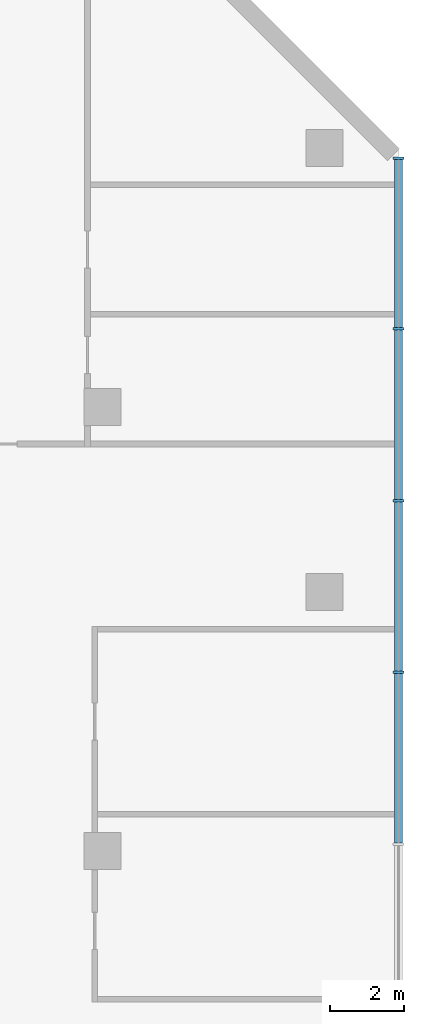
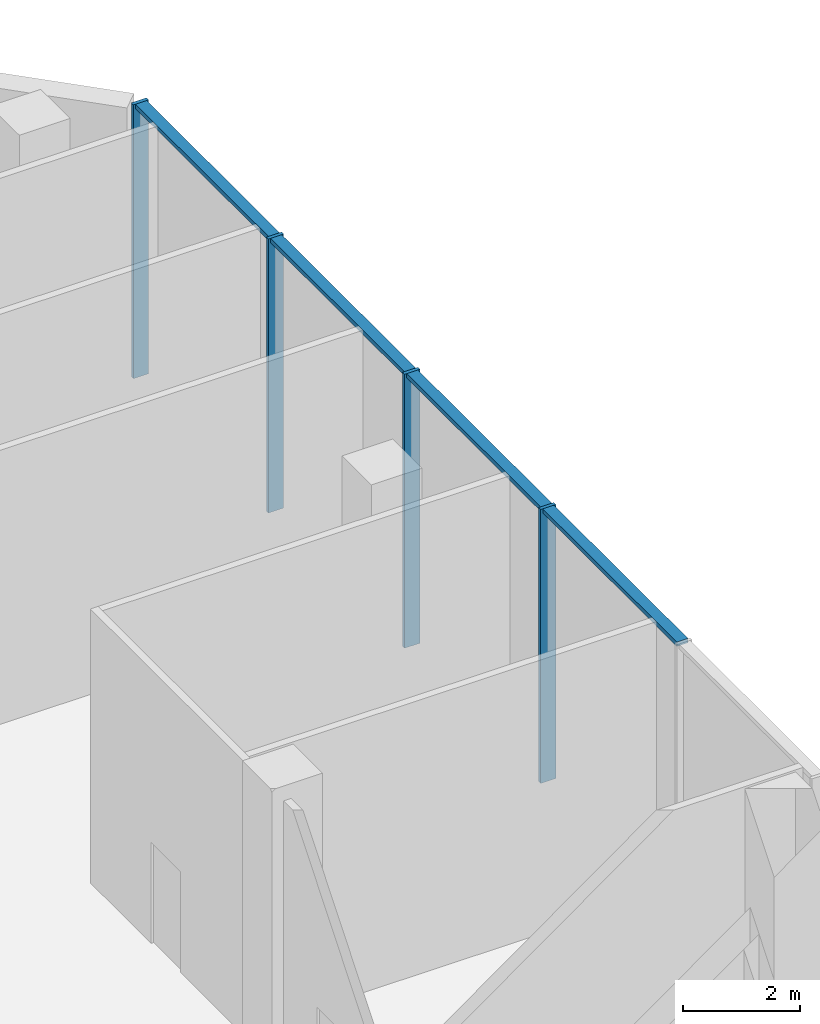
# One storey, part 7 of 30: 8 members, 1 element without a shape of its own.
"""IFC4 building model written with IfcOpenShell, lengths in metres."""

from ifc_helpers import new_model, si_unit, direction, frame, origin, origin_2d, place, context, subcontext, project, spatial, rectangle, extrude, material, material_profile, profile_set, type_object, element, aggregate, save


model = new_model("IFC4")

# Units and contexts
model_context = context("Model", 3, precision=1e-05, world=origin(), true_north=direction((0.0, 1.0)))
body_context = subcontext(model_context, "Body", "Model", "MODEL_VIEW")
ifc_project = project(units=[si_unit("LENGTHUNIT", "METRE"), si_unit("AREAUNIT", "SQUARE_METRE"), si_unit("VOLUMEUNIT", "CUBIC_METRE"), si_unit("PLANEANGLEUNIT", "RADIAN"), si_unit("MASSUNIT", "GRAM", prefix="KILO")], contexts=[model_context])

# Site, building, storey
site_placement = place(None, origin())
site = spatial("IfcSite", under=ifc_project, at=site_placement, CompositionType="ELEMENT")
building_placement = place(site_placement, origin())
building = spatial("IfcBuilding", under=site, at=building_placement, Name="Wharfspan Tower", CompositionType="ELEMENT")
storey_placement = place(building_placement, frame((0.0, 0.0, 21.5)))
storey = spatial("IfcBuildingStorey", under=building, at=storey_placement, Name="L03", CompositionType="ELEMENT", Elevation=21.5)

# Curtain wall, members
ifc_material = material(Name="Aluminium 6063-T6", Category="aluminium")
curtain_wall_type = type_object("IfcCurtainWallType", Name="CURTAIN WALL ARENA STICK WALL", PredefinedType="NOTDEFINED", material=ifc_material)
curtain_wall_placement = place(storey_placement, origin())
curtain_wall = element("IfcCurtainWall", 1, at=curtain_wall_placement, inside=storey, type_object=curtain_wall_type, Name="Concourse stick wall PF3.3", PredefinedType="NOTDEFINED")
ifc_material_profile_1 = material_profile(ifc_material, rectangle(XDim=0.300049, YDim=0.070068, at=origin_2d()))
ifc_profile_set_1 = profile_set([ifc_material_profile_1], Name="Aluminium 6063-T6")
member_type_1 = type_object("IfcMemberType", Name="MULLION ARENA STICK WALL 70x300", PredefinedType="MULLION", material=ifc_profile_set_1)
member_1_placement = place(storey_placement, frame((108.0, 35.830078, 0.0), z_axis=(0.0, 0.0, 1.0), x_axis=(-1.0, 0.0, 0.0)))
member_1 = element("IfcMember", 2, at=member_1_placement, type_object=member_type_1, Name="Concourse stick wall PF3.3 mullion 3", PredefinedType="MULLION", context=body_context, shape_type="SweptSolid", body=[
    extrude(rectangle(XDim=0.300049, YDim=0.070068, at=origin_2d()), origin(), (0.0, 0.0, 1.0), 5.699951),
])
member_2_placement = place(storey_placement, frame((108.0, 40.469971, 0.0), z_axis=(0.0, 0.0, 1.0), x_axis=(-1.0, 0.0, 0.0)))
member_2 = element("IfcMember", 3, at=member_2_placement, type_object=member_type_1, Name="Concourse stick wall PF3.3 mullion 4", PredefinedType="MULLION", context=body_context, shape_type="SweptSolid", body=[
    extrude(rectangle(XDim=0.300049, YDim=0.070068, at=origin_2d()), origin(), (0.0, 0.0, 1.0), 5.699951),
])
member_3_placement = place(storey_placement, frame((108.0, 45.110107, 0.0), z_axis=(0.0, 0.0, 1.0), x_axis=(-1.0, 0.0, 0.0)))
member_3 = element("IfcMember", 4, at=member_3_placement, type_object=member_type_1, Name="Concourse stick wall PF3.3 mullion 5", PredefinedType="MULLION", context=body_context, shape_type="SweptSolid", body=[
    extrude(rectangle(XDim=0.300049, YDim=0.070068, at=origin_2d()), origin(), (0.0, 0.0, 1.0), 5.699951),
])
member_4_placement = place(storey_placement, frame((108.0, 49.715088, 0.0), z_axis=(0.0, 0.0, 1.0), x_axis=(-1.0, 0.0, 0.0)))
member_4 = element("IfcMember", 5, at=member_4_placement, type_object=member_type_1, Name="Concourse stick wall PF3.3 mullion 6", PredefinedType="MULLION", context=body_context, shape_type="SweptSolid", body=[
    extrude(rectangle(XDim=0.300049, YDim=0.070068, at=origin_2d()), origin(), (0.0, 0.0, 1.0), 5.699951),
])
ifc_material_profile_2 = material_profile(ifc_material, rectangle(XDim=0.219971, YDim=0.090088, at=origin_2d()))
ifc_profile_set_2 = profile_set([ifc_material_profile_2], Name="Aluminium 6063-T6")
member_type_2 = type_object("IfcMemberType", Name="TRANSOM ARENA STICK WALL 90x220", PredefinedType="USERDEFINED", material=ifc_profile_set_2)
member_5_placement = place(storey_placement, frame((108.0, 31.225098, 5.655029), z_axis=(0.0, 1.0, 0.0), x_axis=(-1.0, 0.0, 0.0)))
member_5 = element("IfcMember", 6, at=member_5_placement, type_object=member_type_2, Name="Concourse stick wall PF3.3 transom 2", ObjectType="TRANSOM", PredefinedType="USERDEFINED", context=body_context, shape_type="SweptSolid", body=[
    extrude(rectangle(XDim=0.219971, YDim=0.090088, at=origin_2d()), origin(), (0.0, 0.0, 1.0), 4.569824),
])
member_6_placement = place(storey_placement, frame((108.0, 35.86499, 5.655029), z_axis=(0.0, 1.0, 0.0), x_axis=(-1.0, 0.0, 0.0)))
member_6 = element("IfcMember", 7, at=member_6_placement, type_object=member_type_2, Name="Concourse stick wall PF3.3 transom 3", ObjectType="TRANSOM", PredefinedType="USERDEFINED", context=body_context, shape_type="SweptSolid", body=[
    extrude(rectangle(XDim=0.219971, YDim=0.090088, at=origin_2d()), origin(), (0.0, 0.0, 1.0), 4.570068),
])
member_7_placement = place(storey_placement, frame((108.0, 40.504883, 5.655029), z_axis=(0.0, 1.0, 0.0), x_axis=(-1.0, 0.0, 0.0)))
member_7 = element("IfcMember", 8, at=member_7_placement, type_object=member_type_2, Name="Concourse stick wall PF3.3 transom 4", ObjectType="TRANSOM", PredefinedType="USERDEFINED", context=body_context, shape_type="SweptSolid", body=[
    extrude(rectangle(XDim=0.219971, YDim=0.090088, at=origin_2d()), origin(), (0.0, 0.0, 1.0), 4.570068),
])
member_8_placement = place(storey_placement, frame((108.0, 45.14502, 5.655029), z_axis=(0.0, 1.0, 0.0), x_axis=(-1.0, 0.0, 0.0)))
member_8 = element("IfcMember", 9, at=member_8_placement, type_object=member_type_2, Name="Concourse stick wall PF3.3 transom 5", ObjectType="TRANSOM", PredefinedType="USERDEFINED", context=body_context, shape_type="SweptSolid", body=[
    extrude(rectangle(XDim=0.219971, YDim=0.090088, at=origin_2d()), origin(), (0.0, 0.0, 1.0), 4.534912),
])
aggregate(curtain_wall, [member_1, member_2, member_3, member_4, member_5, member_6, member_7, member_8])

save(model, "model.ifc")
